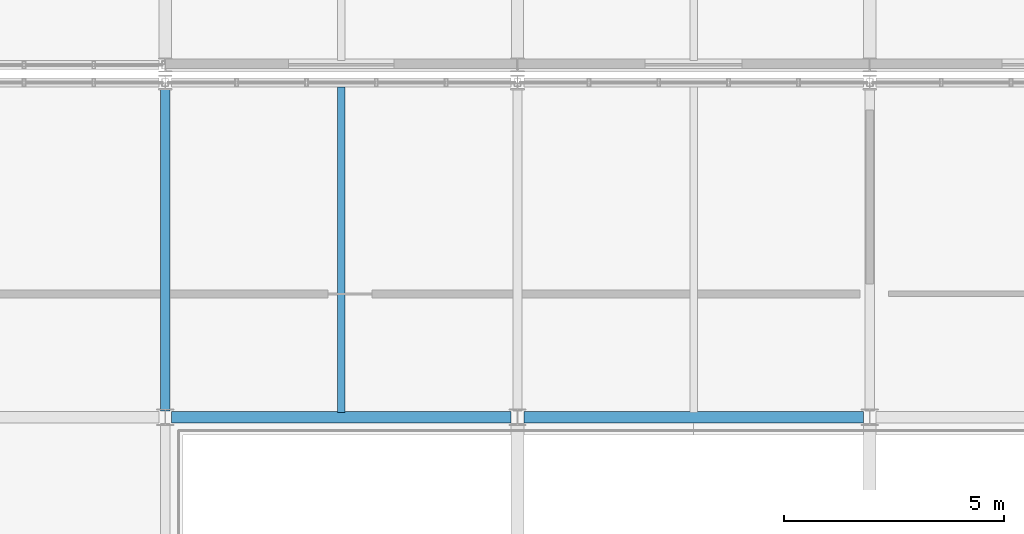
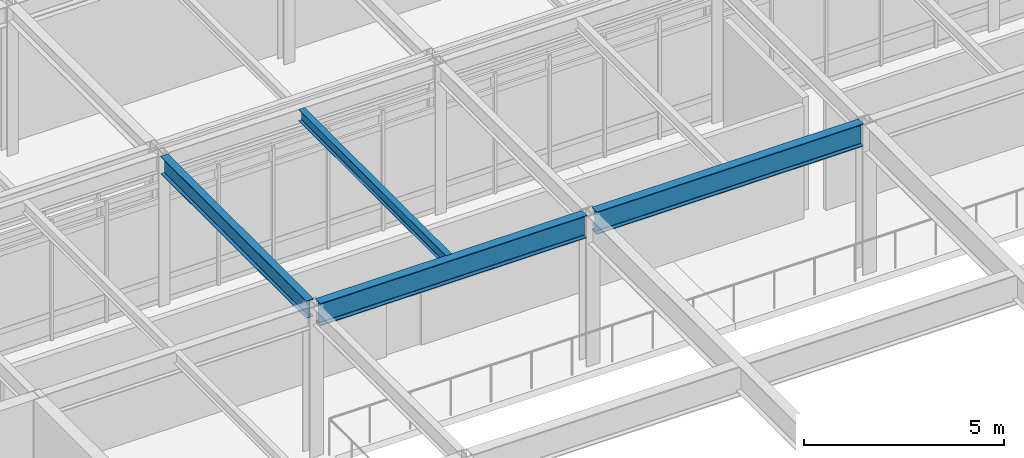
# One storey, part 48 of 104: 4 beams.
"""IFC4 building model written with IfcOpenShell, lengths in metres."""

from ifc_helpers import new_model, si_unit, direction, frame, origin, origin_2d, place, context, subcontext, project, spatial, i_section, extrude, material, material_profile, profile_set, type_object, element, save


model = new_model("IFC4")

# Units and contexts
model_context = context("Model", 3, precision=1e-05, world=origin(), true_north=direction((0.0, 1.0)))
body_context = subcontext(model_context, "Body", "Model", "MODEL_VIEW")
ifc_project = project(units=[si_unit("LENGTHUNIT", "METRE"), si_unit("AREAUNIT", "SQUARE_METRE"), si_unit("VOLUMEUNIT", "CUBIC_METRE"), si_unit("PLANEANGLEUNIT", "RADIAN"), si_unit("MASSUNIT", "GRAM", prefix="KILO")], contexts=[model_context])

# Site, building, storey
site_placement = place(None, origin())
site = spatial("IfcSite", under=ifc_project, at=site_placement, CompositionType="ELEMENT")
building_placement = place(site_placement, origin())
building = spatial("IfcBuilding", under=site, at=building_placement, Name="Zulena Civic Courthouse", CompositionType="ELEMENT")
storey_placement = place(building_placement, frame((0.0, 0.0, 15.60009765625)))
storey = spatial("IfcBuildingStorey", under=building, at=storey_placement, Name="L03", CompositionType="ELEMENT", Elevation=15.60009765625)

# Beams
ifc_material = material(Name="Steel ASTM A992 Grade 50", Category="steel")
ifc_material_profile_1 = material_profile(ifc_material, i_section(OverallWidth=0.25390625, OverallDepth=0.68798828125, WebThickness=0.01318359375, FlangeThickness=0.02099609375, FilletRadius=0.0166015625, at=origin_2d()), Name="W27X102")
ifc_profile_set_1 = profile_set([ifc_material_profile_1], Name="Steel ASTM A992 Grade 50")
beam_type_1 = type_object("IfcBeamType", Name="Girder_W27X102", PredefinedType="BEAM", material=ifc_profile_set_1)
for number, where, z_axis, x_axis, name in (
    (1, (84.14501953125, 38.0, 4.245849609375), (1.0, 0.0, 0.0), (0.0, 1.0, 0.0), "beam:X:V4:L03:38.0:84.0_92.0"),
    (2, (92.14501953125, 38.0, 4.245849609375), (1.0, 0.0, 0.0), (0.0, 1.0, 0.0), "beam:X:V4:L03:38.0:92.0_100.0"),
):
    element("IfcBeam", number, at=place(storey_placement, frame(where, z_axis=z_axis, x_axis=x_axis)), inside=storey, type_object=beam_type_1, Name=name, PredefinedType="BEAM", context=body_context, shape_type="SweptSolid", body=[
        extrude(i_section(OverallWidth=0.25390625, OverallDepth=0.68798828125, WebThickness=0.01318359375, FlangeThickness=0.02099609375, FilletRadius=0.0166015625, at=origin_2d()), origin(), (0.0, 0.0, 1.0), 7.7099609375),
    ])
ifc_material_profile_2 = material_profile(ifc_material, i_section(OverallWidth=0.1708984375, OverallDepth=0.35205078125, WebThickness=0.0068359375, FlangeThickness=0.009765625, FilletRadius=0.01025390625, at=origin_2d()), Name="W14X30")
ifc_profile_set_2 = profile_set([ifc_material_profile_2], Name="Steel ASTM A992 Grade 50")
beam_type_2 = type_object("IfcBeamType", Name="Joist_W14X30", PredefinedType="JOIST", material=ifc_profile_set_2)
beam_1_placement = place(storey_placement, frame((88.0, 38.10498046875, 4.413818359375), z_axis=(0.0, 1.0, 0.0), x_axis=(-1.0, 0.0, 0.0)))
element("IfcBeam", 3, at=beam_1_placement, inside=storey, type_object=beam_type_2, Name="joist:V4:L03:88.00:38.0_45.6", PredefinedType="JOIST", context=body_context, shape_type="SweptSolid", body=[
    extrude(i_section(OverallWidth=0.1708984375, OverallDepth=0.35205078125, WebThickness=0.0068359375, FlangeThickness=0.009765625, FilletRadius=0.01025390625, at=origin_2d()), origin(), (0.0, 0.0, 1.0), 7.39013671875),
])
ifc_material_profile_3 = material_profile(ifc_material, i_section(OverallWidth=0.2099609375, OverallDepth=0.537109375, WebThickness=0.010986328125, FlangeThickness=0.017333984375, FilletRadius=0.0126953125, at=origin_2d()), Name="W21X68")
ifc_profile_set_3 = profile_set([ifc_material_profile_3], Name="Steel ASTM A992 Grade 50")
beam_type_3 = type_object("IfcBeamType", Name="Spandrel_W21X68", PredefinedType="SPANDREL", material=ifc_profile_set_3)
beam_2_placement = place(storey_placement, frame((84.0, 38.14501953125, 4.3212890625), z_axis=(0.0, 1.0, 0.0), x_axis=(-1.0, 0.0, 0.0)))
element("IfcBeam", 4, at=beam_2_placement, inside=storey, type_object=beam_type_3, Name="beam:Y:V4:L03:84.0:38.0_45.6", PredefinedType="SPANDREL", context=body_context, shape_type="SweptSolid", body=[
    extrude(i_section(OverallWidth=0.2099609375, OverallDepth=0.537109375, WebThickness=0.010986328125, FlangeThickness=0.017333984375, FilletRadius=0.0126953125, at=origin_2d()), origin(), (0.0, 0.0, 1.0), 7.31005859375),
])

save(model, "model.ifc")
